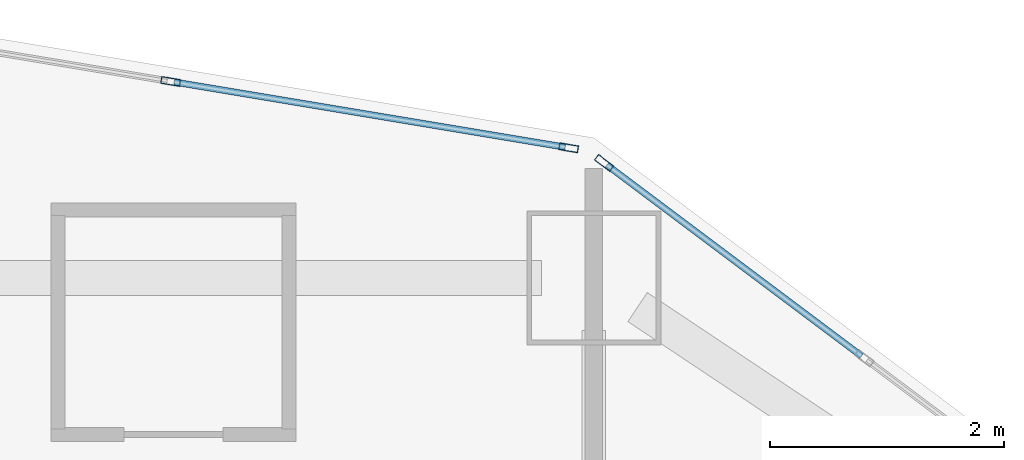
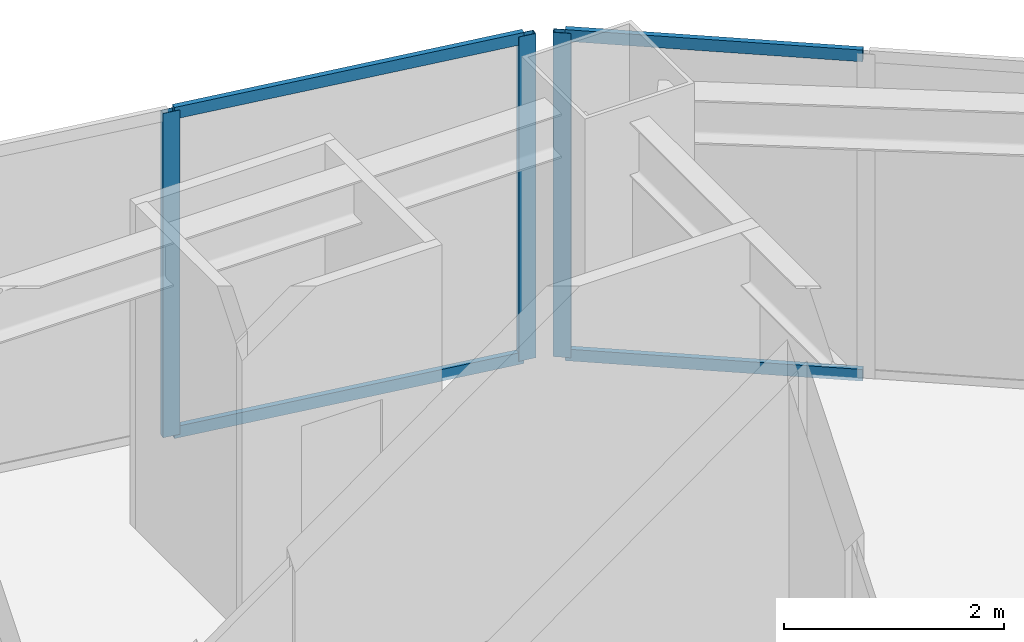
# One storey, part 4 of 15: 7 members, 2 elements without a shape of their own.
"""IFC4 building model written with IfcOpenShell, lengths in metres."""

import ifcopenshell
import ifcopenshell.guid

model = None  # the IFC model being written
_history = None  # IfcOwnerHistory: only IFC2X3 demands one
_inside = {}  # id of a spatial element -> (the spatial element, [elements in it])
_under = {}  # id of a project, library or spatial element -> (it, [spatial elements below it])
_declared = {}  # id of a project -> (the project, [libraries it declares])
_typed = {}  # id of a type object -> (the type object, [elements of that type])
_made_of = {}  # id of a material, layer set ... -> (it, [elements and type objects made of it])


def new_model(schema):
    """Start an empty IFC model of exactly this schema.

    Asked for "IFC4X3", IfcOpenShell would pick the latest addendum, in which some entities
    have other attributes; the version numbers below select the first issue.
    IFC2X3 requires an IfcOwnerHistory on every rooted entity: one is made here for all.
    """
    global model, _history
    if schema == "IFC4X3":
        model = ifcopenshell.file(schema_version=(4, 3, 0, 0))
    else:
        model = ifcopenshell.file(schema=schema)
    _inside.clear()
    _under.clear()
    _declared.clear()
    _typed.clear()
    _made_of.clear()
    _history = None
    if model.schema == "IFC2X3":
        org = make("IfcOrganization", Name="unknown")
        user = make(
            "IfcPersonAndOrganization",
            ThePerson=make("IfcPerson", FamilyName="unknown"),
            TheOrganization=org,
        )
        app = make(
            "IfcApplication",
            ApplicationDeveloper=org,
            Version="unknown",
            ApplicationFullName="unknown",
            ApplicationIdentifier="unknown",
        )
        _history = make(
            "IfcOwnerHistory",
            OwningUser=user,
            OwningApplication=app,
            ChangeAction="ADDED",
            CreationDate=0,
        )
    return model


def make(cls, **values):
    """One entity of the class cls with the attributes given. An attribute that is None is left unset."""
    return model.create_entity(
        cls, **{name: value for name, value in values.items() if value is not None}
    )


def rooted(cls, **values):
    """An entity with a GlobalId (a new one), such as an element, a storey or a relation."""
    return make(cls, GlobalId=ifcopenshell.guid.new(), OwnerHistory=_history, **values)


def si_unit(unit_type, name, prefix=None):
    """IfcSIUnit, for example si_unit("LENGTHUNIT", "METRE", prefix="MILLI")."""
    return make("IfcSIUnit", UnitType=unit_type, Prefix=prefix, Name=name)


def assignment(units):
    """IfcUnitAssignment: the units of a project."""
    return None if units is None else make("IfcUnitAssignment", Units=units)


def point(xyz):
    """IfcCartesianPoint."""
    return None if xyz is None else make("IfcCartesianPoint", Coordinates=xyz)


def direction(xyz):
    """IfcDirection."""
    return None if xyz is None else make("IfcDirection", DirectionRatios=xyz)


def frame(location, z_axis=None, x_axis=None):
    """IfcAxis2Placement3D, a coordinate frame: its origin and axes. An axis left out is left unset."""
    return make(
        "IfcAxis2Placement3D",
        Location=point(location),
        Axis=direction(z_axis),
        RefDirection=direction(x_axis),
    )


def frame_2d(location, x_axis=None):
    """IfcAxis2Placement2D, a coordinate frame in the plane: its origin and x axis."""
    return make(
        "IfcAxis2Placement2D", Location=point(location), RefDirection=direction(x_axis)
    )


def origin():
    """The frame at (0, 0, 0) with its axes left unset."""
    return frame((0.0, 0.0, 0.0))


def origin_2d():
    """The frame at (0, 0) in the plane with its x axis left unset."""
    return frame_2d((0.0, 0.0))


def place(relative_to, where):
    """IfcLocalPlacement: puts the frame where relative to a parent placement (None: the world)."""
    return make(
        "IfcLocalPlacement", PlacementRelTo=relative_to, RelativePlacement=where
    )


def context(
    kind, dimensions, precision=None, world=None, true_north=None, identifier=None
):
    """IfcGeometricRepresentationContext, for example the 3D "Model" context."""
    return make(
        "IfcGeometricRepresentationContext",
        ContextIdentifier=identifier,
        ContextType=kind,
        CoordinateSpaceDimension=dimensions,
        Precision=precision,
        WorldCoordinateSystem=world,
        TrueNorth=true_north,
    )


def subcontext(parent, identifier, kind, view, scale=None):
    """IfcGeometricRepresentationSubContext, for example "Body" below "Model"."""
    return make(
        "IfcGeometricRepresentationSubContext",
        ContextIdentifier=identifier,
        ContextType=kind,
        ParentContext=parent,
        TargetScale=scale,
        TargetView=view,
    )


def project(units=None, contexts=None):
    """IfcProject with its units and contexts."""
    return rooted(
        "IfcProject",
        Name="project",
        RepresentationContexts=contexts,
        UnitsInContext=assignment(units),
    )


def spatial(cls, under=None, at=None, **own):
    """A site, building, storey or space (cls), placed at a placement, below another one or the project."""
    s = rooted(cls, ObjectPlacement=at, **own)
    if under is not None:
        _under.setdefault(under.id(), (under, []))[1].append(s)
    return s


def profile(cls, at=None, kind="AREA", **sizes):
    """A parametric profile (cls). Its sizes go by their IFC names, for example OverallWidth=200.0."""
    return make(cls, ProfileType=kind, Position=at, **sizes)


def hollow_rectangle(**sizes):
    """IfcRectangleHollowProfileDef."""
    return profile("IfcRectangleHollowProfileDef", **sizes)


def extrude(swept, where, along, depth):
    """IfcExtrudedAreaSolid: the profile swept, set in the frame where, extruded along a direction by depth."""
    return make(
        "IfcExtrudedAreaSolid",
        SweptArea=swept,
        Position=where,
        ExtrudedDirection=direction(along),
        Depth=depth,
    )


def shape(context_of_items, identifier, shape_type, items):
    """IfcShapeRepresentation: the items that make up one representation, for example the "Body"."""
    return make(
        "IfcShapeRepresentation",
        ContextOfItems=context_of_items,
        RepresentationIdentifier=identifier,
        RepresentationType=shape_type,
        Items=items,
    )


def material(Name=None, Category=None):
    """IfcMaterial."""
    return make("IfcMaterial", Name=Name, Category=Category)


def layer(
    of_material, thickness, ventilated=None, Name=None, Category=None, Priority=None
):
    """IfcMaterialLayer: one layer of a wall or slab, of a material (None: an air gap)."""
    return make(
        "IfcMaterialLayer",
        Material=of_material,
        LayerThickness=thickness,
        IsVentilated=ventilated,
        Name=Name,
        Category=Category,
        Priority=Priority,
    )


def layer_set(layers, Name=None):
    """IfcMaterialLayerSet."""
    return make("IfcMaterialLayerSet", MaterialLayers=layers, LayerSetName=Name)


def material_profile(
    of_material, cross_section, Name=None, Category=None, Priority=None
):
    """IfcMaterialProfile: a cross section and its material."""
    return make(
        "IfcMaterialProfile",
        Name=Name,
        Material=of_material,
        Profile=cross_section,
        Priority=Priority,
        Category=Category,
    )


def profile_set(profiles, Name=None, composite=None):
    """IfcMaterialProfileSet."""
    return make(
        "IfcMaterialProfileSet",
        Name=Name,
        MaterialProfiles=profiles,
        CompositeProfile=composite,
    )


def made_of(thing, what):
    """Note that an element or type object is made of a material, layer set ...; save() writes the relation."""
    if what is not None:
        _made_of.setdefault(what.id(), (what, []))[1].append(thing)
    return thing


def type_object(cls, material=None, **own):
    """A type object (cls), such as IfcWallType, which elements share."""
    return made_of(rooted(cls, **own), material)


def element(
    cls,
    number,
    at=None,
    inside=None,
    cuts=None,
    type_object=None,
    material=None,
    context=None,
    identifier="Body",
    shape_type=None,
    held_by="IfcProductDefinitionShape",
    body=None,
    shapes=None,
    **own,
):
    """One element of the class cls, such as IfcWall. Its Tag is "e" and its number.

    at: its placement. inside: the storey or other place that contains it. cuts: it is an
    opening in that element (IfcRelVoidsElement). A single representation is given by context,
    identifier, shape_type and body (its items); several are given by shapes. held_by: the class
    of the entity that holds the representations. save() writes the other relations.
    """
    e = rooted(cls, Tag="e%d" % number, ObjectPlacement=at, **own)
    if body is not None:
        shapes = [shape(context, identifier, shape_type, body)]
    if shapes is not None:
        e.Representation = make(held_by, Representations=shapes)
    if inside is not None:
        _inside.setdefault(inside.id(), (inside, []))[1].append(e)
    if cuts is not None:
        rooted(
            "IfcRelVoidsElement", RelatingBuildingElement=cuts, RelatedOpeningElement=e
        )
    if type_object is not None:
        _typed.setdefault(type_object.id(), (type_object, []))[1].append(e)
    return made_of(e, material)


def aggregate(whole, parts):
    """IfcRelAggregates: a whole, such as a stair, and the parts it consists of."""
    return rooted("IfcRelAggregates", RelatingObject=whole, RelatedObjects=parts)


def save(model, path):
    """Write the relations noted so far, then the file.

    IfcRelAggregates (storeys below a building ...), IfcRelContainedInSpatialStructure (elements
    in a storey), IfcRelDefinesByType, IfcRelAssociatesMaterial and IfcRelDeclares: one each for
    every whole, place, type object, material and project.
    """
    for whole, parts in _under.values():
        aggregate(whole, parts)
    for where, things in _inside.values():
        rooted(
            "IfcRelContainedInSpatialStructure",
            RelatedElements=things,
            RelatingStructure=where,
        )
    for kind, things in _typed.values():
        rooted("IfcRelDefinesByType", RelatedObjects=things, RelatingType=kind)
    for what, things in _made_of.values():
        rooted("IfcRelAssociatesMaterial", RelatedObjects=things, RelatingMaterial=what)
    for by, libraries in _declared.values():
        rooted("IfcRelDeclares", RelatingContext=by, RelatedDefinitions=libraries)
    model.write(path)


model = new_model("IFC4")

# Units and contexts
model_context = context("Model", 3, precision=1e-05, world=origin(), true_north=direction((0.0, 1.0)))
body_context = subcontext(model_context, "Body", "Model", "MODEL_VIEW")
ifc_project = project(units=[si_unit("LENGTHUNIT", "METRE"), si_unit("AREAUNIT", "SQUARE_METRE"), si_unit("VOLUMEUNIT", "CUBIC_METRE"), si_unit("PLANEANGLEUNIT", "RADIAN"), si_unit("MASSUNIT", "GRAM", prefix="KILO")], contexts=[model_context])

# Site, building, storey
site_placement = place(None, origin())
site = spatial("IfcSite", under=ifc_project, at=site_placement, CompositionType="ELEMENT")
building_placement = place(site_placement, origin())
building = spatial("IfcBuilding", under=site, at=building_placement, Name="Haolan Belvedere Tower", CompositionType="ELEMENT")
storey_placement = place(building_placement, frame((0.0, 0.0, 70.39990234375)))
storey = spatial("IfcBuildingStorey", under=building, at=storey_placement, Name="L17", CompositionType="ELEMENT", Elevation=70.39990234375)

# Curtain wall, member
ifc_material_1 = material(Name="Anodised champagne-silver aluminium 6063-T6 and Low-E glass", Category="aluminium")
ifc_layer = layer(ifc_material_1, 0.1650390625, Name="Anodised champagne-silver aluminium 6063-T6 and Low-E glass")
ifc_layer_set = layer_set([ifc_layer], Name="Anodised champagne-silver aluminium 6063-T6 and Low-E glass")
curtain_wall_type = type_object("IfcCurtainWallType", Name="CW-SYS-02", PredefinedType="NOTDEFINED", material=ifc_layer_set)
curtain_wall_1_placement = place(storey_placement, origin())
curtain_wall_1 = element("IfcCurtainWall", 1, at=curtain_wall_1_placement, inside=storey, type_object=curtain_wall_type, Name="L17 CW-SYS-02 ribbon curtain wall 41.1", PredefinedType="NOTDEFINED")
ifc_material_2 = material(Name="Anodised aluminium 6063-T6", Category="aluminium")
ifc_material_profile_1 = material_profile(ifc_material_2, hollow_rectangle(XDim=0.06005859375, YDim=0.1650390625, WallThickness=0.00390625, at=origin_2d()), Name="Anodised aluminium 6063-T6")
ifc_profile_set_1 = profile_set([ifc_material_profile_1], Name="Anodised aluminium 6063-T6")
member_type_1 = type_object("IfcMemberType", Name="CW-SYS-02-MUL", PredefinedType="MULLION", material=ifc_profile_set_1)
member_1_placement = place(storey_placement, frame((45.6875, 51.384521484375, 0.0), z_axis=(0.0, 0.0, 1.0), x_axis=(-0.599994316874, -0.800004262313, 0.0)))
member_1 = element("IfcMember", 2, at=member_1_placement, type_object=member_type_1, Name="CW-02 mullion 3", PredefinedType="MULLION", context=body_context, shape_type="SweptSolid", body=[
    extrude(hollow_rectangle(XDim=0.06005859375, YDim=0.1650390625, WallThickness=0.00390625, at=origin_2d()), origin(), (0.0, 0.0, 1.0), 3.60009765625),
])

# Curtain wall, members
curtain_wall_2_placement = place(storey_placement, origin())
curtain_wall_2 = element("IfcCurtainWall", 3, at=curtain_wall_2_placement, inside=storey, type_object=curtain_wall_type, Name="L17 CW-SYS-02 ribbon curtain wall 42.1", PredefinedType="NOTDEFINED")
member_2_placement = place(storey_placement, frame((45.3837890625, 51.514404296875, 0.0), z_axis=(0.0, 0.0, 1.0), x_axis=(-0.16440364043, -0.9863931483, 0.0)))
member_2 = element("IfcMember", 4, at=member_2_placement, type_object=member_type_1, Name="CW-02 mullion 1", PredefinedType="MULLION", context=body_context, shape_type="SweptSolid", body=[
    extrude(hollow_rectangle(XDim=0.06005859375, YDim=0.1650390625, WallThickness=0.00390625, at=origin_2d()), origin(), (0.0, 0.0, 1.0), 3.60009765625),
])
member_3_placement = place(storey_placement, frame((41.9755859375, 52.082275390625, 0.0), z_axis=(0.0, 0.0, 1.0), x_axis=(-0.16440364043, -0.9863931483, 0.0)))
member_3 = element("IfcMember", 5, at=member_3_placement, type_object=member_type_1, Name="CW-02 mullion 2", PredefinedType="MULLION", context=body_context, shape_type="SweptSolid", body=[
    extrude(hollow_rectangle(XDim=0.06005859375, YDim=0.1650390625, WallThickness=0.00390625, at=origin_2d()), origin(), (0.0, 0.0, 1.0), 3.60009765625),
])

# Member
ifc_material_profile_2 = material_profile(ifc_material_2, hollow_rectangle(XDim=0.054931640625, YDim=0.1298828125, WallThickness=0.00390625, at=origin_2d()), Name="Anodised aluminium 6063-T6")
ifc_profile_set_2 = profile_set([ifc_material_profile_2], Name="Anodised aluminium 6063-T6")
member_type_2 = type_object("IfcMemberType", Name="CW-SYS-02-TRN", PredefinedType="USERDEFINED", material=ifc_profile_set_2)
member_4_placement = place(storey_placement, frame((47.8916015625, 49.731201171875, 0.027587890625), z_axis=(-0.799978499504, 0.600028666258, 0.0), x_axis=(-0.600028666258, -0.799978499504, 0.0)))
member_4 = element("IfcMember", 6, at=member_4_placement, type_object=member_type_2, Name="CW-02 transom 2.1", ObjectType="TRANSOM", PredefinedType="USERDEFINED", context=body_context, shape_type="SweptSolid", body=[
    extrude(hollow_rectangle(XDim=0.054931640625, YDim=0.1298828125, WallThickness=0.00390625, at=origin_2d()), origin(), (0.0, 0.0, 1.0), 2.725341796875),
])

member_5_placement = place(storey_placement, frame((47.8916015625, 49.731201171875, 3.572509765625), z_axis=(-0.799978499504, 0.600028666258, 0.0), x_axis=(-0.600028666258, -0.799978499504, 0.0)))
member_5 = element("IfcMember", 7, at=member_5_placement, type_object=member_type_2, Name="CW-02 transom 2.2", ObjectType="TRANSOM", PredefinedType="USERDEFINED", context=body_context, shape_type="SweptSolid", body=[
    extrude(hollow_rectangle(XDim=0.054931640625, YDim=0.1298828125, WallThickness=0.00390625, at=origin_2d()), origin(), (0.0, 0.0, 1.0), 2.725341796875),
])

aggregate(curtain_wall_1, [member_1, member_4, member_5])

member_6_placement = place(storey_placement, frame((45.35400390625, 51.519287109375, 0.027587890625), z_axis=(-0.986393923832, 0.164398987305, 0.0), x_axis=(-0.164398987305, -0.986393923832, 0.0)))
member_6 = element("IfcMember", 8, at=member_6_placement, type_object=member_type_2, Name="CW-02 transom 1.1", ObjectType="TRANSOM", PredefinedType="USERDEFINED", context=body_context, shape_type="SweptSolid", body=[
    extrude(hollow_rectangle(XDim=0.054931640625, YDim=0.1298828125, WallThickness=0.00390625, at=origin_2d()), origin(), (0.0, 0.0, 1.0), 3.394775390625),
])

member_7_placement = place(storey_placement, frame((45.35400390625, 51.519287109375, 3.572509765625), z_axis=(-0.986393923832, 0.164398987305, 0.0), x_axis=(-0.164398987305, -0.986393923832, 0.0)))
member_7 = element("IfcMember", 9, at=member_7_placement, type_object=member_type_2, Name="CW-02 transom 1.2", ObjectType="TRANSOM", PredefinedType="USERDEFINED", context=body_context, shape_type="SweptSolid", body=[
    extrude(hollow_rectangle(XDim=0.054931640625, YDim=0.1298828125, WallThickness=0.00390625, at=origin_2d()), origin(), (0.0, 0.0, 1.0), 3.394775390625),
])

aggregate(curtain_wall_2, [member_2, member_3, member_6, member_7])

save(model, "model.ifc")
